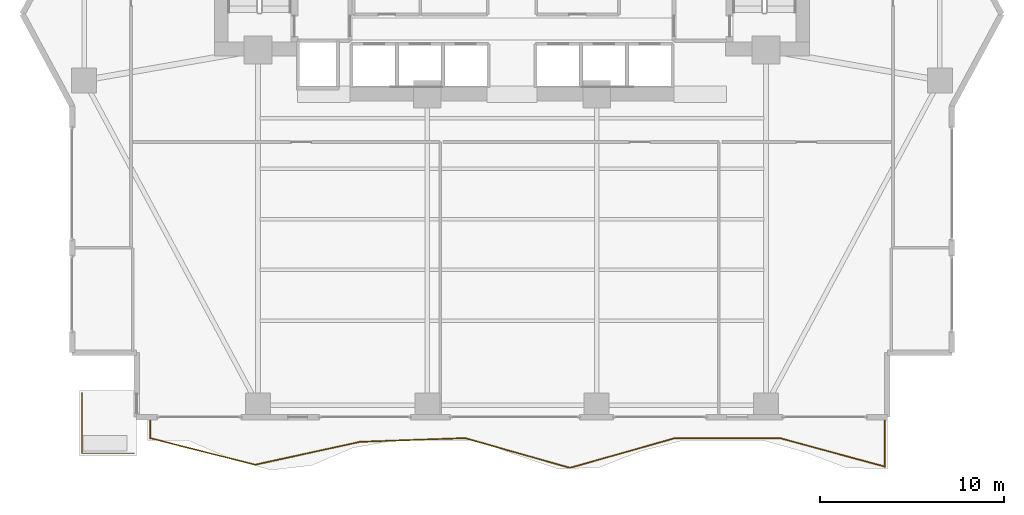
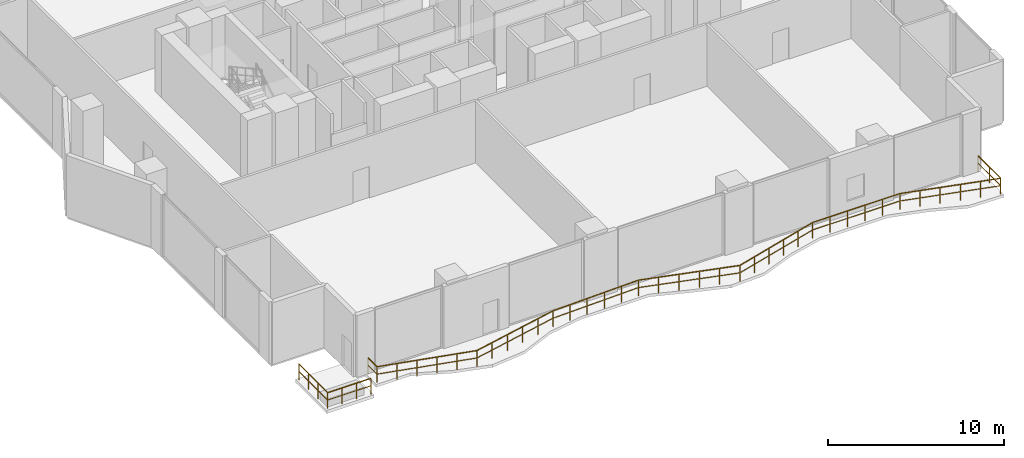
# One storey, part 30 of 33: 2 railings.
"""IFC4 building model written with IfcOpenShell, lengths in metres."""

import ifcopenshell
import ifcopenshell.guid

model = None  # the IFC model being written
_history = None  # IfcOwnerHistory: only IFC2X3 demands one
_inside = {}  # id of a spatial element -> (the spatial element, [elements in it])
_under = {}  # id of a project, library or spatial element -> (it, [spatial elements below it])
_declared = {}  # id of a project -> (the project, [libraries it declares])
_typed = {}  # id of a type object -> (the type object, [elements of that type])
_made_of = {}  # id of a material, layer set ... -> (it, [elements and type objects made of it])


def new_model(schema):
    """Start an empty IFC model of exactly this schema.

    Asked for "IFC4X3", IfcOpenShell would pick the latest addendum, in which some entities
    have other attributes; the version numbers below select the first issue.
    IFC2X3 requires an IfcOwnerHistory on every rooted entity: one is made here for all.
    """
    global model, _history
    if schema == "IFC4X3":
        model = ifcopenshell.file(schema_version=(4, 3, 0, 0))
    else:
        model = ifcopenshell.file(schema=schema)
    _inside.clear()
    _under.clear()
    _declared.clear()
    _typed.clear()
    _made_of.clear()
    _history = None
    if model.schema == "IFC2X3":
        org = make("IfcOrganization", Name="unknown")
        user = make(
            "IfcPersonAndOrganization",
            ThePerson=make("IfcPerson", FamilyName="unknown"),
            TheOrganization=org,
        )
        app = make(
            "IfcApplication",
            ApplicationDeveloper=org,
            Version="unknown",
            ApplicationFullName="unknown",
            ApplicationIdentifier="unknown",
        )
        _history = make(
            "IfcOwnerHistory",
            OwningUser=user,
            OwningApplication=app,
            ChangeAction="ADDED",
            CreationDate=0,
        )
    return model


def make(cls, **values):
    """One entity of the class cls with the attributes given. An attribute that is None is left unset."""
    return model.create_entity(
        cls, **{name: value for name, value in values.items() if value is not None}
    )


def rooted(cls, **values):
    """An entity with a GlobalId (a new one), such as an element, a storey or a relation."""
    return make(cls, GlobalId=ifcopenshell.guid.new(), OwnerHistory=_history, **values)


def si_unit(unit_type, name, prefix=None):
    """IfcSIUnit, for example si_unit("LENGTHUNIT", "METRE", prefix="MILLI")."""
    return make("IfcSIUnit", UnitType=unit_type, Prefix=prefix, Name=name)


def assignment(units):
    """IfcUnitAssignment: the units of a project."""
    return None if units is None else make("IfcUnitAssignment", Units=units)


def point(xyz):
    """IfcCartesianPoint."""
    return None if xyz is None else make("IfcCartesianPoint", Coordinates=xyz)


def direction(xyz):
    """IfcDirection."""
    return None if xyz is None else make("IfcDirection", DirectionRatios=xyz)


def frame(location, z_axis=None, x_axis=None):
    """IfcAxis2Placement3D, a coordinate frame: its origin and axes. An axis left out is left unset."""
    return make(
        "IfcAxis2Placement3D",
        Location=point(location),
        Axis=direction(z_axis),
        RefDirection=direction(x_axis),
    )


def frame_2d(location, x_axis=None):
    """IfcAxis2Placement2D, a coordinate frame in the plane: its origin and x axis."""
    return make(
        "IfcAxis2Placement2D", Location=point(location), RefDirection=direction(x_axis)
    )


def origin():
    """The frame at (0, 0, 0) with its axes left unset."""
    return frame((0.0, 0.0, 0.0))


def origin_2d():
    """The frame at (0, 0) in the plane with its x axis left unset."""
    return frame_2d((0.0, 0.0))


def place(relative_to, where):
    """IfcLocalPlacement: puts the frame where relative to a parent placement (None: the world)."""
    return make(
        "IfcLocalPlacement", PlacementRelTo=relative_to, RelativePlacement=where
    )


def context(
    kind, dimensions, precision=None, world=None, true_north=None, identifier=None
):
    """IfcGeometricRepresentationContext, for example the 3D "Model" context."""
    return make(
        "IfcGeometricRepresentationContext",
        ContextIdentifier=identifier,
        ContextType=kind,
        CoordinateSpaceDimension=dimensions,
        Precision=precision,
        WorldCoordinateSystem=world,
        TrueNorth=true_north,
    )


def subcontext(parent, identifier, kind, view, scale=None):
    """IfcGeometricRepresentationSubContext, for example "Body" below "Model"."""
    return make(
        "IfcGeometricRepresentationSubContext",
        ContextIdentifier=identifier,
        ContextType=kind,
        ParentContext=parent,
        TargetScale=scale,
        TargetView=view,
    )


def project(units=None, contexts=None):
    """IfcProject with its units and contexts."""
    return rooted(
        "IfcProject",
        Name="project",
        RepresentationContexts=contexts,
        UnitsInContext=assignment(units),
    )


def spatial(cls, under=None, at=None, **own):
    """A site, building, storey or space (cls), placed at a placement, below another one or the project."""
    s = rooted(cls, ObjectPlacement=at, **own)
    if under is not None:
        _under.setdefault(under.id(), (under, []))[1].append(s)
    return s


def profile(cls, at=None, kind="AREA", **sizes):
    """A parametric profile (cls). Its sizes go by their IFC names, for example OverallWidth=200.0."""
    return make(cls, ProfileType=kind, Position=at, **sizes)


def rectangle(**sizes):
    """IfcRectangleProfileDef."""
    return profile("IfcRectangleProfileDef", **sizes)


def extrude(swept, where, along, depth):
    """IfcExtrudedAreaSolid: the profile swept, set in the frame where, extruded along a direction by depth."""
    return make(
        "IfcExtrudedAreaSolid",
        SweptArea=swept,
        Position=where,
        ExtrudedDirection=direction(along),
        Depth=depth,
    )


def shape(context_of_items, identifier, shape_type, items):
    """IfcShapeRepresentation: the items that make up one representation, for example the "Body"."""
    return make(
        "IfcShapeRepresentation",
        ContextOfItems=context_of_items,
        RepresentationIdentifier=identifier,
        RepresentationType=shape_type,
        Items=items,
    )


def material(Name=None, Category=None):
    """IfcMaterial."""
    return make("IfcMaterial", Name=Name, Category=Category)


def made_of(thing, what):
    """Note that an element or type object is made of a material, layer set ...; save() writes the relation."""
    if what is not None:
        _made_of.setdefault(what.id(), (what, []))[1].append(thing)
    return thing


def type_object(cls, material=None, **own):
    """A type object (cls), such as IfcWallType, which elements share."""
    return made_of(rooted(cls, **own), material)


def element(
    cls,
    number,
    at=None,
    inside=None,
    cuts=None,
    type_object=None,
    material=None,
    context=None,
    identifier="Body",
    shape_type=None,
    held_by="IfcProductDefinitionShape",
    body=None,
    shapes=None,
    **own,
):
    """One element of the class cls, such as IfcWall. Its Tag is "e" and its number.

    at: its placement. inside: the storey or other place that contains it. cuts: it is an
    opening in that element (IfcRelVoidsElement). A single representation is given by context,
    identifier, shape_type and body (its items); several are given by shapes. held_by: the class
    of the entity that holds the representations. save() writes the other relations.
    """
    e = rooted(cls, Tag="e%d" % number, ObjectPlacement=at, **own)
    if body is not None:
        shapes = [shape(context, identifier, shape_type, body)]
    if shapes is not None:
        e.Representation = make(held_by, Representations=shapes)
    if inside is not None:
        _inside.setdefault(inside.id(), (inside, []))[1].append(e)
    if cuts is not None:
        rooted(
            "IfcRelVoidsElement", RelatingBuildingElement=cuts, RelatedOpeningElement=e
        )
    if type_object is not None:
        _typed.setdefault(type_object.id(), (type_object, []))[1].append(e)
    return made_of(e, material)


def aggregate(whole, parts):
    """IfcRelAggregates: a whole, such as a stair, and the parts it consists of."""
    return rooted("IfcRelAggregates", RelatingObject=whole, RelatedObjects=parts)


def save(model, path):
    """Write the relations noted so far, then the file.

    IfcRelAggregates (storeys below a building ...), IfcRelContainedInSpatialStructure (elements
    in a storey), IfcRelDefinesByType, IfcRelAssociatesMaterial and IfcRelDeclares: one each for
    every whole, place, type object, material and project.
    """
    for whole, parts in _under.values():
        aggregate(whole, parts)
    for where, things in _inside.values():
        rooted(
            "IfcRelContainedInSpatialStructure",
            RelatedElements=things,
            RelatingStructure=where,
        )
    for kind, things in _typed.values():
        rooted("IfcRelDefinesByType", RelatedObjects=things, RelatingType=kind)
    for what, things in _made_of.values():
        rooted("IfcRelAssociatesMaterial", RelatedObjects=things, RelatingMaterial=what)
    for by, libraries in _declared.values():
        rooted("IfcRelDeclares", RelatingContext=by, RelatedDefinitions=libraries)
    model.write(path)


model = new_model("IFC4")

# Units and contexts
model_context = context("Model", 3, precision=1e-05, world=origin(), true_north=direction((0.0, 1.0)))
body_context = subcontext(model_context, "Body", "Model", "MODEL_VIEW")
ifc_project = project(units=[si_unit("LENGTHUNIT", "METRE"), si_unit("AREAUNIT", "SQUARE_METRE"), si_unit("VOLUMEUNIT", "CUBIC_METRE"), si_unit("PLANEANGLEUNIT", "RADIAN"), si_unit("MASSUNIT", "GRAM", prefix="KILO")], contexts=[model_context])

# Site, building, storey
site_placement = place(None, origin())
site = spatial("IfcSite", under=ifc_project, at=site_placement, CompositionType="ELEMENT")
building_placement = place(site_placement, origin())
building = spatial("IfcBuilding", under=site, at=building_placement, Name="Zuhayl Quay Hotel", CompositionType="ELEMENT")
storey_placement = place(building_placement, frame((0.0, 0.0, 154.050048828125)))
storey = spatial("IfcBuildingStorey", under=building, at=storey_placement, Name="L39", CompositionType="ELEMENT", Elevation=154.050048828125)

# Railings
ifc_material = material(Name="Anodised Aluminium and Laminated Glass", Category="aluminium")
railing_type = type_object("IfcRailingType", Name="RL_EXT_BAL_1100", PredefinedType="BALUSTRADE", material=ifc_material)
railing_1_placement = place(storey_placement, frame((-19.659912109375, -15.52001953125, 0.0)))
element("IfcRailing", 1, at=railing_1_placement, inside=storey, type_object=railing_type, Name="L39 Balcony and Terrace Guard GR_L39_BAL_S", PredefinedType="BALUSTRADE", context=body_context, shape_type="SweptSolid", body=[
    extrude(rectangle(XDim=0.048095703125, YDim=0.048095703125, at=origin_2d()), frame((0.0, 0.0, 1.09619140625), z_axis=(0.0, -1.0, 0.0), x_axis=(1.0, 0.0, 0.0)), (0.0, 0.0, 1.0), 1.02001953125),
    extrude(rectangle(XDim=0.0361328125, YDim=0.0361328125, at=origin_2d()), frame((0.0, 0.0, 0.58251953125), z_axis=(0.0, -1.0, 0.0), x_axis=(1.0, 0.0, 0.0)), (0.0, 0.0, 1.0), 1.02001953125),
    extrude(rectangle(XDim=0.048095703125, YDim=0.048095703125, at=origin_2d()), frame((0.0, -1.02001953125, 1.09619140625), z_axis=(0.969304426563, -0.245863638314, 0.0), x_axis=(0.245863638314, 0.969304426563, 0.0)), (0.0, 0.0, 1.0), 5.883544921875),
    extrude(rectangle(XDim=0.0361328125, YDim=0.0361328125, at=origin_2d()), frame((0.0, -1.02001953125, 0.58251953125), z_axis=(0.969304426563, -0.245863638314, 0.0), x_axis=(0.245863638314, 0.969304426563, 0.0)), (0.0, 0.0, 1.0), 5.883544921875),
    extrude(rectangle(XDim=0.048095703125, YDim=0.048095703125, at=origin_2d()), frame((5.702880859375, -2.466552734375, 1.09619140625), z_axis=(0.976957282662, 0.21343492651, 0.0), x_axis=(-0.21343492651, 0.976957282662, 0.0)), (0.0, 0.0, 1.0), 5.837158203125),
    extrude(rectangle(XDim=0.0361328125, YDim=0.0361328125, at=origin_2d()), frame((5.702880859375, -2.466552734375, 0.58251953125), z_axis=(0.976957282662, 0.21343492651, 0.0), x_axis=(-0.21343492651, 0.976957282662, 0.0)), (0.0, 0.0, 1.0), 5.837158203125),
    extrude(rectangle(XDim=0.048095703125, YDim=0.048095703125, at=origin_2d()), frame((11.405517578125, -1.220703125, 1.09619140625), z_axis=(0.999381411238, 0.035168094526, 0.0), x_axis=(-0.035168094526, 0.999381411238, 0.0)), (0.0, 0.0, 1.0), 5.706298828125),
    extrude(rectangle(XDim=0.0361328125, YDim=0.0361328125, at=origin_2d()), frame((11.405517578125, -1.220703125, 0.58251953125), z_axis=(0.999381411238, 0.035168094526, 0.0), x_axis=(-0.035168094526, 0.999381411238, 0.0)), (0.0, 0.0, 1.0), 5.706298828125),
    extrude(rectangle(XDim=0.048095703125, YDim=0.048095703125, at=origin_2d()), frame((17.1083984375, -1.02001953125, 1.09619140625), z_axis=(0.962206453128, -0.272321026655, 0.0), x_axis=(0.272321026655, 0.962206453128, 0.0)), (0.0, 0.0, 1.0), 5.9267578125),
    extrude(rectangle(XDim=0.0361328125, YDim=0.0361328125, at=origin_2d()), frame((17.1083984375, -1.02001953125, 0.58251953125), z_axis=(0.962206453128, -0.272321026655, 0.0), x_axis=(0.272321026655, 0.962206453128, 0.0)), (0.0, 0.0, 1.0), 5.9267578125),
    extrude(rectangle(XDim=0.048095703125, YDim=0.048095703125, at=origin_2d()), frame((22.811279296875, -2.634033203125, 1.09619140625), z_axis=(0.962206453128, 0.272321026655, 0.0), x_axis=(-0.272321026655, 0.962206453128, 0.0)), (0.0, 0.0, 1.0), 5.9267578125),
    extrude(rectangle(XDim=0.0361328125, YDim=0.0361328125, at=origin_2d()), frame((22.811279296875, -2.634033203125, 0.58251953125), z_axis=(0.962206453128, 0.272321026655, 0.0), x_axis=(-0.272321026655, 0.962206453128, 0.0)), (0.0, 0.0, 1.0), 5.9267578125),
    extrude(rectangle(XDim=0.048095703125, YDim=0.048095703125, at=origin_2d()), frame((28.51416015625, -1.02001953125, 1.09619140625), z_axis=(1.0, 0.0, 0.0), x_axis=(0.0, 1.0, 0.0)), (0.0, 0.0, 1.0), 5.702880859375),
    extrude(rectangle(XDim=0.0361328125, YDim=0.0361328125, at=origin_2d()), frame((28.51416015625, -1.02001953125, 0.58251953125), z_axis=(1.0, 0.0, 0.0), x_axis=(0.0, 1.0, 0.0)), (0.0, 0.0, 1.0), 5.702880859375),
    extrude(rectangle(XDim=0.048095703125, YDim=0.048095703125, at=origin_2d()), frame((34.217041015625, -1.02001953125, 1.09619140625), z_axis=(0.965021718962, -0.262169948565, 0.0), x_axis=(0.262169948565, 0.965021718962, 0.0)), (0.0, 0.0, 1.0), 5.90966796875),
    extrude(rectangle(XDim=0.0361328125, YDim=0.0361328125, at=origin_2d()), frame((34.217041015625, -1.02001953125, 0.58251953125), z_axis=(0.965021718962, -0.262169948565, 0.0), x_axis=(0.262169948565, 0.965021718962, 0.0)), (0.0, 0.0, 1.0), 5.90966796875),
    extrude(rectangle(XDim=0.048095703125, YDim=0.048095703125, at=origin_2d()), frame((39.919921875, -2.5693359375, 1.09619140625), z_axis=(0.0, 1.0, 0.0), x_axis=(-1.0, 0.0, 0.0)), (0.0, 0.0, 1.0), 2.5693359375),
    extrude(rectangle(XDim=0.0361328125, YDim=0.0361328125, at=origin_2d()), frame((39.919921875, -2.5693359375, 0.58251953125), z_axis=(0.0, 1.0, 0.0), x_axis=(-1.0, 0.0, 0.0)), (0.0, 0.0, 1.0), 2.5693359375),
    extrude(rectangle(XDim=0.0419921875, YDim=0.0419921875, at=origin_2d()), origin(), (0.0, 0.0, 1.0), 1.072021484375),
    extrude(rectangle(XDim=0.0419921875, YDim=0.0419921875, at=origin_2d()), frame((0.0, -1.02001953125, 0.0)), (0.0, 0.0, 1.0), 1.072021484375),
    extrude(rectangle(XDim=0.0419921875, YDim=0.0419921875, at=origin_2d()), frame((1.140625, -1.309326171875, 0.0)), (0.0, 0.0, 1.0), 1.072021484375),
    extrude(rectangle(XDim=0.0419921875, YDim=0.0419921875, at=origin_2d()), frame((2.28125, -1.5986328125, 0.0)), (0.0, 0.0, 1.0), 1.072021484375),
    extrude(rectangle(XDim=0.0419921875, YDim=0.0419921875, at=origin_2d()), frame((3.421630859375, -1.887939453125, 0.0)), (0.0, 0.0, 1.0), 1.072021484375),
    extrude(rectangle(XDim=0.0419921875, YDim=0.0419921875, at=origin_2d()), frame((4.562255859375, -2.17724609375, 0.0)), (0.0, 0.0, 1.0), 1.072021484375),
    extrude(rectangle(XDim=0.0419921875, YDim=0.0419921875, at=origin_2d()), frame((5.702880859375, -2.466552734375, 0.0)), (0.0, 0.0, 1.0), 1.072021484375),
    extrude(rectangle(XDim=0.0419921875, YDim=0.0419921875, at=origin_2d()), frame((6.843505859375, -2.21728515625, 0.0)), (0.0, 0.0, 1.0), 1.072021484375),
    extrude(rectangle(XDim=0.0419921875, YDim=0.0419921875, at=origin_2d()), frame((7.98388671875, -1.96826171875, 0.0)), (0.0, 0.0, 1.0), 1.072021484375),
    extrude(rectangle(XDim=0.0419921875, YDim=0.0419921875, at=origin_2d()), frame((9.12451171875, -1.718994140625, 0.0)), (0.0, 0.0, 1.0), 1.072021484375),
    extrude(rectangle(XDim=0.0419921875, YDim=0.0419921875, at=origin_2d()), frame((10.264892578125, -1.469970703125, 0.0)), (0.0, 0.0, 1.0), 1.072021484375),
    extrude(rectangle(XDim=0.0419921875, YDim=0.0419921875, at=origin_2d()), frame((11.405517578125, -1.220703125, 0.0)), (0.0, 0.0, 1.0), 1.072021484375),
    extrude(rectangle(XDim=0.0419921875, YDim=0.0419921875, at=origin_2d()), frame((12.546142578125, -1.1806640625, 0.0)), (0.0, 0.0, 1.0), 1.072021484375),
    extrude(rectangle(XDim=0.0419921875, YDim=0.0419921875, at=origin_2d()), frame((13.686767578125, -1.140380859375, 0.0)), (0.0, 0.0, 1.0), 1.072021484375),
    extrude(rectangle(XDim=0.0419921875, YDim=0.0419921875, at=origin_2d()), frame((14.8271484375, -1.100341796875, 0.0)), (0.0, 0.0, 1.0), 1.072021484375),
    extrude(rectangle(XDim=0.0419921875, YDim=0.0419921875, at=origin_2d()), frame((15.9677734375, -1.06005859375, 0.0)), (0.0, 0.0, 1.0), 1.072021484375),
    extrude(rectangle(XDim=0.0419921875, YDim=0.0419921875, at=origin_2d()), frame((17.1083984375, -1.02001953125, 0.0)), (0.0, 0.0, 1.0), 1.072021484375),
    extrude(rectangle(XDim=0.0419921875, YDim=0.0419921875, at=origin_2d()), frame((18.2490234375, -1.3427734375, 0.0)), (0.0, 0.0, 1.0), 1.072021484375),
    extrude(rectangle(XDim=0.0419921875, YDim=0.0419921875, at=origin_2d()), frame((19.3896484375, -1.66552734375, 0.0)), (0.0, 0.0, 1.0), 1.072021484375),
    extrude(rectangle(XDim=0.0419921875, YDim=0.0419921875, at=origin_2d()), frame((20.530029296875, -1.988525390625, 0.0)), (0.0, 0.0, 1.0), 1.072021484375),
    extrude(rectangle(XDim=0.0419921875, YDim=0.0419921875, at=origin_2d()), frame((21.670654296875, -2.311279296875, 0.0)), (0.0, 0.0, 1.0), 1.072021484375),
    extrude(rectangle(XDim=0.0419921875, YDim=0.0419921875, at=origin_2d()), frame((22.811279296875, -2.634033203125, 0.0)), (0.0, 0.0, 1.0), 1.072021484375),
    extrude(rectangle(XDim=0.0419921875, YDim=0.0419921875, at=origin_2d()), frame((23.951904296875, -2.311279296875, 0.0)), (0.0, 0.0, 1.0), 1.072021484375),
    extrude(rectangle(XDim=0.0419921875, YDim=0.0419921875, at=origin_2d()), frame((25.092529296875, -1.988525390625, 0.0)), (0.0, 0.0, 1.0), 1.072021484375),
    extrude(rectangle(XDim=0.0419921875, YDim=0.0419921875, at=origin_2d()), frame((26.23291015625, -1.66552734375, 0.0)), (0.0, 0.0, 1.0), 1.072021484375),
    extrude(rectangle(XDim=0.0419921875, YDim=0.0419921875, at=origin_2d()), frame((27.37353515625, -1.3427734375, 0.0)), (0.0, 0.0, 1.0), 1.072021484375),
    extrude(rectangle(XDim=0.0419921875, YDim=0.0419921875, at=origin_2d()), frame((28.51416015625, -1.02001953125, 0.0)), (0.0, 0.0, 1.0), 1.072021484375),
    extrude(rectangle(XDim=0.0419921875, YDim=0.0419921875, at=origin_2d()), frame((29.65478515625, -1.02001953125, 0.0)), (0.0, 0.0, 1.0), 1.072021484375),
    extrude(rectangle(XDim=0.0419921875, YDim=0.0419921875, at=origin_2d()), frame((30.79541015625, -1.02001953125, 0.0)), (0.0, 0.0, 1.0), 1.072021484375),
    extrude(rectangle(XDim=0.0419921875, YDim=0.0419921875, at=origin_2d()), frame((31.935791015625, -1.02001953125, 0.0)), (0.0, 0.0, 1.0), 1.072021484375),
    extrude(rectangle(XDim=0.0419921875, YDim=0.0419921875, at=origin_2d()), frame((33.076416015625, -1.02001953125, 0.0)), (0.0, 0.0, 1.0), 1.072021484375),
    extrude(rectangle(XDim=0.0419921875, YDim=0.0419921875, at=origin_2d()), frame((34.217041015625, -1.02001953125, 0.0)), (0.0, 0.0, 1.0), 1.072021484375),
    extrude(rectangle(XDim=0.0419921875, YDim=0.0419921875, at=origin_2d()), frame((35.357666015625, -1.329833984375, 0.0)), (0.0, 0.0, 1.0), 1.072021484375),
    extrude(rectangle(XDim=0.0419921875, YDim=0.0419921875, at=origin_2d()), frame((36.498291015625, -1.6396484375, 0.0)), (0.0, 0.0, 1.0), 1.072021484375),
    extrude(rectangle(XDim=0.0419921875, YDim=0.0419921875, at=origin_2d()), frame((37.638671875, -1.94970703125, 0.0)), (0.0, 0.0, 1.0), 1.072021484375),
    extrude(rectangle(XDim=0.0419921875, YDim=0.0419921875, at=origin_2d()), frame((38.779296875, -2.259521484375, 0.0)), (0.0, 0.0, 1.0), 1.072021484375),
    extrude(rectangle(XDim=0.0419921875, YDim=0.0419921875, at=origin_2d()), frame((39.919921875, -2.5693359375, 0.0)), (0.0, 0.0, 1.0), 1.072021484375),
    extrude(rectangle(XDim=0.0419921875, YDim=0.0419921875, at=origin_2d()), frame((39.919921875, -1.28466796875, 0.0)), (0.0, 0.0, 1.0), 1.072021484375),
    extrude(rectangle(XDim=0.0419921875, YDim=0.0419921875, at=origin_2d()), frame((39.919921875, 0.0, 0.0)), (0.0, 0.0, 1.0), 1.072021484375),
])
railing_2_placement = place(storey_placement, frame((-23.360107421875, -14.090087890625, 0.0)))
element("IfcRailing", 2, at=railing_2_placement, inside=storey, type_object=railing_type, Name="L39 Balcony and Terrace Guard GR_L39_SPIRAL_SW", PredefinedType="BALUSTRADE", context=body_context, shape_type="SweptSolid", body=[
    extrude(rectangle(XDim=0.048095703125, YDim=0.048095703125, at=origin_2d()), frame((0.0, 0.0, 1.09619140625), z_axis=(0.0, -1.0, 0.0), x_axis=(1.0, 0.0, 0.0)), (0.0, 0.0, 1.0), 3.27001953125),
    extrude(rectangle(XDim=0.0361328125, YDim=0.0361328125, at=origin_2d()), frame((0.0, 0.0, 0.58251953125), z_axis=(0.0, -1.0, 0.0), x_axis=(1.0, 0.0, 0.0)), (0.0, 0.0, 1.0), 3.27001953125),
    extrude(rectangle(XDim=0.048095703125, YDim=0.048095703125, at=origin_2d()), frame((0.0, -3.27001953125, 1.09619140625), z_axis=(1.0, 0.0, 0.0), x_axis=(0.0, 1.0, 0.0)), (0.0, 0.0, 1.0), 2.820068359375),
    extrude(rectangle(XDim=0.0361328125, YDim=0.0361328125, at=origin_2d()), frame((0.0, -3.27001953125, 0.58251953125), z_axis=(1.0, 0.0, 0.0), x_axis=(0.0, 1.0, 0.0)), (0.0, 0.0, 1.0), 2.820068359375),
    extrude(rectangle(XDim=0.0419921875, YDim=0.0419921875, at=origin_2d()), origin(), (0.0, 0.0, 1.0), 1.072021484375),
    extrude(rectangle(XDim=0.0419921875, YDim=0.0419921875, at=origin_2d()), frame((0.0, -1.090087890625, 0.0)), (0.0, 0.0, 1.0), 1.072021484375),
    extrude(rectangle(XDim=0.0419921875, YDim=0.0419921875, at=origin_2d()), frame((0.0, -2.179931640625, 0.0)), (0.0, 0.0, 1.0), 1.072021484375),
    extrude(rectangle(XDim=0.0419921875, YDim=0.0419921875, at=origin_2d()), frame((0.0, -3.27001953125, 0.0)), (0.0, 0.0, 1.0), 1.072021484375),
    extrude(rectangle(XDim=0.0419921875, YDim=0.0419921875, at=origin_2d()), frame((0.93994140625, -3.27001953125, 0.0)), (0.0, 0.0, 1.0), 1.072021484375),
    extrude(rectangle(XDim=0.0419921875, YDim=0.0419921875, at=origin_2d()), frame((1.880126953125, -3.27001953125, 0.0)), (0.0, 0.0, 1.0), 1.072021484375),
    extrude(rectangle(XDim=0.0419921875, YDim=0.0419921875, at=origin_2d()), frame((2.820068359375, -3.27001953125, 0.0)), (0.0, 0.0, 1.0), 1.072021484375),
])

save(model, "model.ifc")
